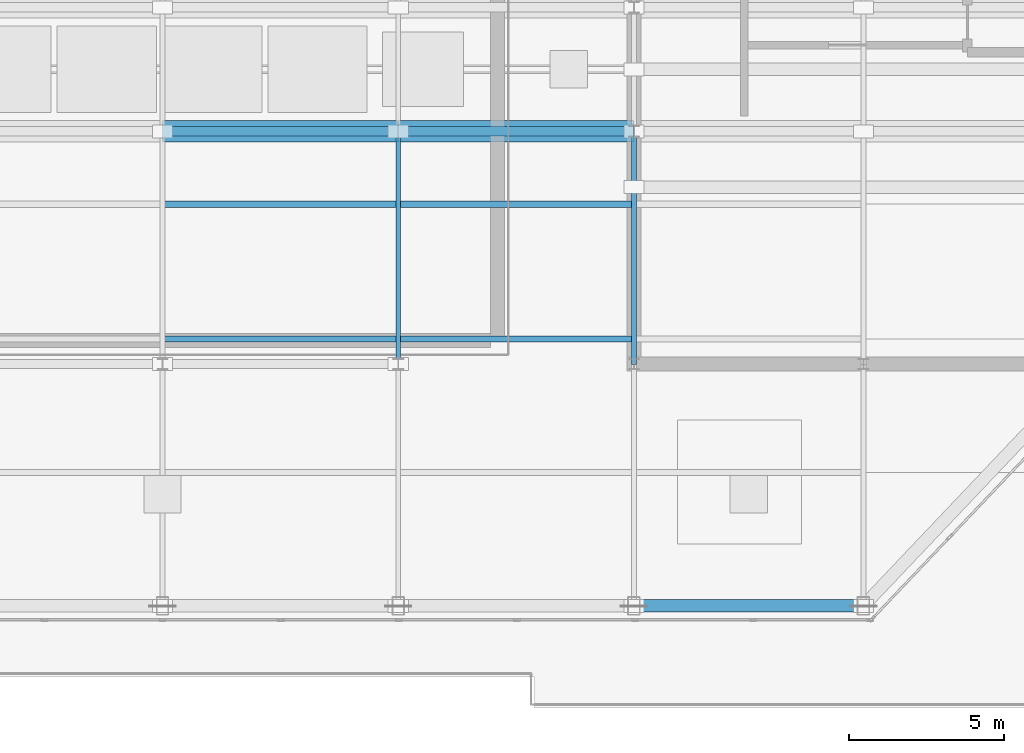
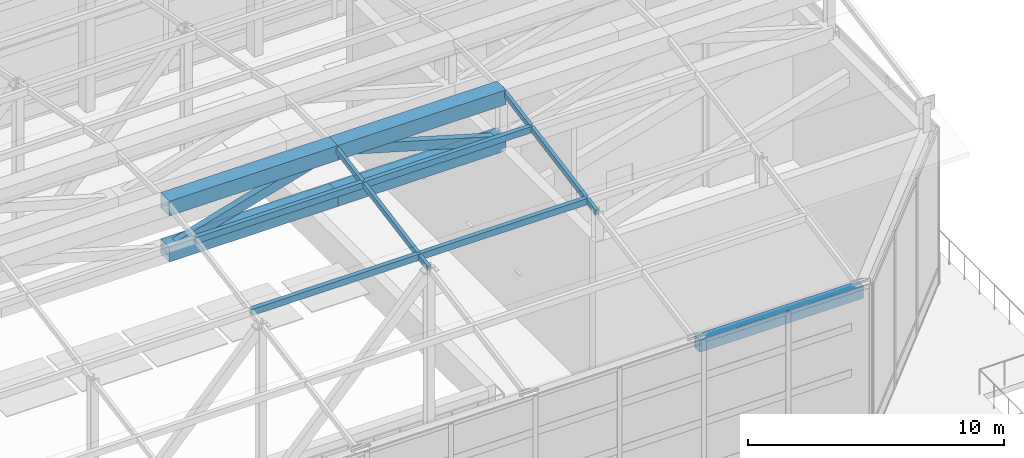
# One storey, part 11 of 25: 10 members, 1 beam.
"""IFC4 building model written with IfcOpenShell, lengths in metres."""

from ifc_helpers import new_model, si_unit, direction, frame, origin, origin_2d, place, context, subcontext, project, spatial, hollow_rectangle, extrude, source, transform, mapped, material, material_profile, profile_set, type_object, type_shapes, element, save


model = new_model("IFC4")

# Units and contexts
model_context = context("Model", 3, precision=1e-05, world=origin(), true_north=direction((0.0, 1.0)))
body_context = subcontext(model_context, "Body", "Model", "MODEL_VIEW")
ifc_project = project(units=[si_unit("LENGTHUNIT", "METRE"), si_unit("AREAUNIT", "SQUARE_METRE"), si_unit("VOLUMEUNIT", "CUBIC_METRE"), si_unit("PLANEANGLEUNIT", "RADIAN"), si_unit("MASSUNIT", "GRAM", prefix="KILO")], contexts=[model_context])

# Site, building, storey
site_placement = place(None, origin())
site = spatial("IfcSite", under=ifc_project, at=site_placement, CompositionType="ELEMENT")
building_placement = place(site_placement, origin())
building = spatial("IfcBuilding", under=site, at=building_placement, Name="Haelvirn Gate Laboratories", CompositionType="ELEMENT")
storey_placement = place(building_placement, frame((0.0, 0.0, 337.800048828125)))
storey = spatial("IfcBuildingStorey", under=building, at=storey_placement, Name="RF", CompositionType="ELEMENT", Elevation=337.800048828125)

# Beam
ifc_material_1 = material(Name="Steel SM420", Category="steel")
ifc_material_profile_1 = material_profile(ifc_material_1, hollow_rectangle(XDim=0.39990234375, YDim=0.60009765625, WallThickness=0.02490234375, at=origin_2d()), Name="BOX-600x400x25")
ifc_profile_set_1 = profile_set([ifc_material_profile_1], Name="Steel SM420")
beam_type = type_object("IfcBeamType", Name="BM-CROWN-CAP", PredefinedType="USERDEFINED", material=ifc_profile_set_1)
shared_shape_1 = source(origin(), body_context, "Body", "SweptSolid", [
    extrude(hollow_rectangle(XDim=0.39990234375, YDim=0.60009765625, WallThickness=0.02490234375, at=origin_2d()), origin(), (0.0, 0.0, 1.0), 7.39990234375),
])
type_shapes(beam_type, [shared_shape_1])
beam_placement = place(storey_placement, frame((52.60009765625, 7.0, 7.050048828125), z_axis=(1.0, 0.0, 0.0), x_axis=(0.0, 1.0, 0.0)))
element("IfcBeam", 1, at=beam_placement, inside=storey, type_object=beam_type, Name="RF Crown Frame Cap Ring Beam S6-S7", ObjectType="CROWN FRAME", PredefinedType="USERDEFINED", context=body_context, shape_type="MappedRepresentation", body=[
    mapped(shared_shape_1, transform((0.0, 0.0, 0.0), scale=1.0)),
])

# Members
ifc_material_profile_2 = material_profile(ifc_material_1, hollow_rectangle(XDim=0.699951171875, YDim=0.699951171875, WallThickness=0.031982421875, at=origin_2d()), Name="BOX-700x700x32")
ifc_profile_set_2 = profile_set([ifc_material_profile_2], Name="Steel SM420")
member_type_1 = type_object("IfcMemberType", Name="MEM-ARCH-RIB", PredefinedType="CHORD", material=ifc_profile_set_2)
shared_shape_2 = source(origin(), body_context, "Body", "SweptSolid", [
    extrude(hollow_rectangle(XDim=0.699951171875, YDim=0.699951171875, WallThickness=0.031982421875, at=origin_2d()), origin(), (0.0, 0.0, 1.0), 7.60009765625),
])
type_shapes(member_type_1, [shared_shape_2])
for number, where, z_axis, x_axis, name in (
    (2, (37.39990234375, 22.300048828125, 9.75537109375), (1.0, 0.0, 0.0), (0.0, 1.0, 0.0), "RF Vault Ridge Top Chord S-5"),
    (3, (37.39990234375, 22.300048828125, 7.550048828125), (1.0, 0.0, 0.0), (0.0, 1.0, 0.0), "RF Vault Ridge Bottom Chord S-5"),
    (4, (45.0, 22.300048828125, 9.75537109375), (1.0, 0.0, 0.0), (0.0, 1.0, 0.0), "RF Vault Ridge Top Chord S-6"),
    (5, (45.0, 22.300048828125, 7.550048828125), (1.0, 0.0, 0.0), (0.0, 1.0, 0.0), "RF Vault Ridge Bottom Chord S-6"),
):
    element("IfcMember", number, at=place(storey_placement, frame(where, z_axis=z_axis, x_axis=x_axis)), inside=storey, type_object=member_type_1, Name=name, PredefinedType="CHORD", context=body_context, shape_type="MappedRepresentation", body=[
        mapped(shared_shape_2, transform((0.0, 0.0, 0.0), scale=1.0)),
    ])
ifc_material_profile_3 = material_profile(ifc_material_1, hollow_rectangle(XDim=0.300048828125, YDim=0.449951171875, WallThickness=0.02001953125, at=origin_2d()), Name="BOX-450x300x20")
ifc_profile_set_3 = profile_set([ifc_material_profile_3], Name="Steel SM420")
member_type_2 = type_object("IfcMemberType", Name="MEM-CROWN-BR", PredefinedType="USERDEFINED", material=ifc_profile_set_3)
shared_shape_3 = source(origin(), body_context, "Body", "SweptSolid", [
    extrude(hollow_rectangle(XDim=0.300048828125, YDim=0.449951171875, WallThickness=0.02001953125, at=origin_2d()), origin(), (0.0, 0.0, 1.0), 7.91357421875),
])
type_shapes(member_type_2, [shared_shape_3])
for number, where, z_axis, x_axis, name in (
    (6, (37.39990234375, 22.300048828125, 7.550048828125), (0.960385387725, 0.0, 0.278675271677), (0.0, 1.0, 0.0), "RF Vault Ridge Truss Web S-5"),
    (7, (45.0, 22.300048828125, 9.75537109375), (0.960385387725, 0.0, -0.278675271677), (0.0, 1.0, 0.0), "RF Vault Ridge Truss Web S-6"),
):
    element("IfcMember", number, at=place(storey_placement, frame(where, z_axis=z_axis, x_axis=x_axis)), inside=storey, type_object=member_type_2, Name=name, ObjectType="CROWN FRAME", PredefinedType="USERDEFINED", context=body_context, shape_type="MappedRepresentation", body=[
        mapped(shared_shape_3, transform((0.0, 0.0, 0.0), scale=1.0)),
    ])
ifc_material_2 = material(Name="Steel SM355", Category="steel")
ifc_material_profile_4 = material_profile(ifc_material_2, hollow_rectangle(XDim=0.14990234375, YDim=0.25, WallThickness=0.010009765625, at=origin_2d()), Name="RHS-250x150x10")
ifc_profile_set_4 = profile_set([ifc_material_profile_4], Name="Steel SM355")
member_type_3 = type_object("IfcMemberType", Name="MEM-CROWN-RAF", PredefinedType="RAFTER", material=ifc_profile_set_4)
shared_shape_4 = source(origin(), body_context, "Body", "SweptSolid", [
    extrude(hollow_rectangle(XDim=0.14990234375, YDim=0.25, WallThickness=0.010009765625, at=origin_2d()), origin(), (0.0, 0.0, 1.0), 7.626708984375),
])
type_shapes(member_type_3, [shared_shape_4])
for number, where, z_axis, x_axis, name in (
    (8, (45.0, 14.800048828125, 8.571044921875), (0.0, 0.983390092547, 0.181504616691), (-1.0, 0.0, 0.0), "RF Vault Rafter Chord X45.0-2"),
    (9, (52.60009765625, 14.800048828125, 8.571044921875), (0.0, 0.983390092547, 0.181504616691), (-1.0, 0.0, 0.0), "RF Vault Rafter Chord X52.6-2"),
):
    element("IfcMember", number, at=place(storey_placement, frame(where, z_axis=z_axis, x_axis=x_axis)), inside=storey, type_object=member_type_3, Name=name, PredefinedType="RAFTER", context=body_context, shape_type="MappedRepresentation", body=[
        mapped(shared_shape_4, transform((0.0, 0.0, 0.0), scale=1.0)),
    ])
ifc_material_profile_5 = material_profile(ifc_material_2, hollow_rectangle(XDim=0.199951171875, YDim=0.300048828125, WallThickness=0.011962890625, at=origin_2d()), Name="RHS-300x200x12")
ifc_profile_set_5 = profile_set([ifc_material_profile_5], Name="Steel SM355")
member_type_4 = type_object("IfcMemberType", Name="MEM-ROOF-PURL", PredefinedType="PURLIN", material=ifc_profile_set_5)
shared_shape_5 = source(origin(), body_context, "Body", "SweptSolid", [
    extrude(hollow_rectangle(XDim=0.199951171875, YDim=0.300048828125, WallThickness=0.011962890625, at=origin_2d()), origin(), (0.0, 0.0, 1.0), 15.2001953125),
])
type_shapes(member_type_4, [shared_shape_5])
for number, where, z_axis, x_axis, name in (
    (10, (37.39990234375, 15.60009765625, 8.699951171875), (1.0, 0.0, 0.0), (0.0, 1.0, 0.0), "RF Vault Purlin 2 (37.4-52.6)"),
    (11, (37.39990234375, 19.949951171875, 9.5), (1.0, 0.0, 0.0), (0.0, 1.0, 0.0), "RF Vault Purlin 3 (37.4-52.6)"),
):
    element("IfcMember", number, at=place(storey_placement, frame(where, z_axis=z_axis, x_axis=x_axis)), inside=storey, type_object=member_type_4, Name=name, PredefinedType="PURLIN", context=body_context, shape_type="MappedRepresentation", body=[
        mapped(shared_shape_5, transform((0.0, 0.0, 0.0), scale=1.0)),
    ])

save(model, "model.ifc")
